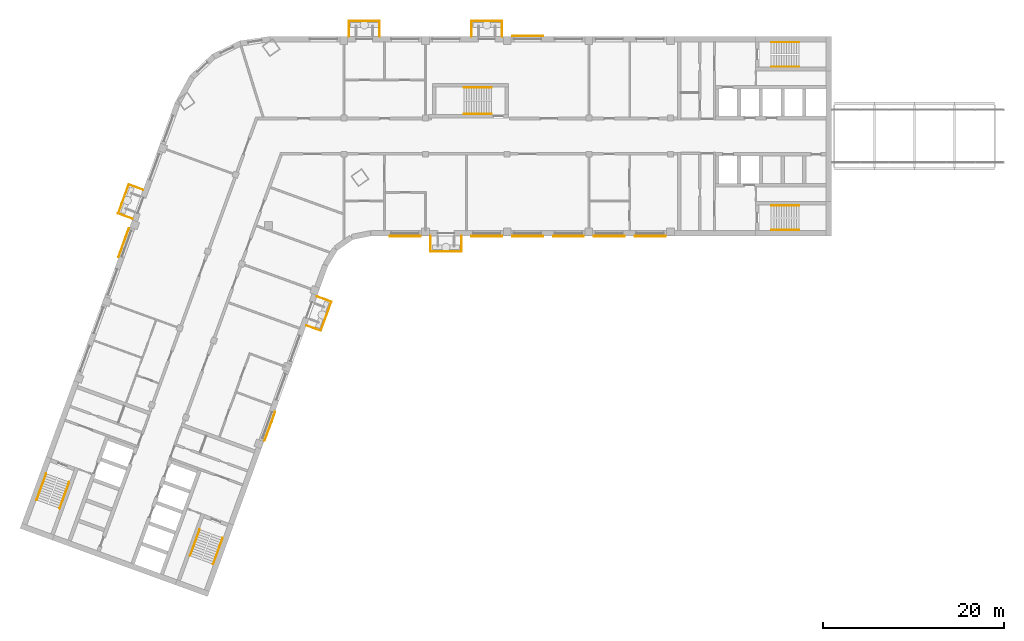
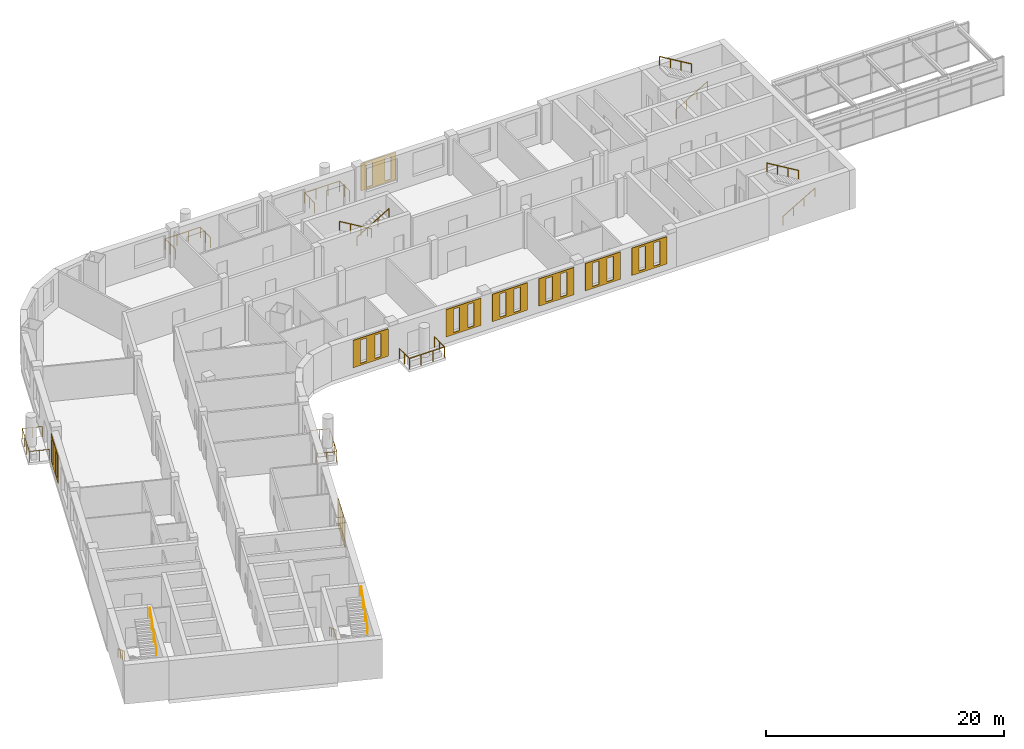
# One storey, part 10 of 12: 15 railings, 9 coverings.
"""IFC4 building model written with IfcOpenShell, lengths in metres."""

from ifc_helpers import new_model, si_unit, direction, frame, origin, origin_2d, place, context, subcontext, project, spatial, polyline, circle, outline, extrude, material, material_profile, profile_set, type_object, element, save


model = new_model("IFC4")

# Units and contexts
model_context = context("Model", 3, precision=1e-05, world=origin(), true_north=direction((0.0, 1.0)))
body_context = subcontext(model_context, "Body", "Model", "MODEL_VIEW")
ifc_project = project(units=[si_unit("LENGTHUNIT", "METRE"), si_unit("AREAUNIT", "SQUARE_METRE"), si_unit("VOLUMEUNIT", "CUBIC_METRE"), si_unit("PLANEANGLEUNIT", "RADIAN"), si_unit("MASSUNIT", "GRAM", prefix="KILO")], contexts=[model_context])

# Site, building, storey
site_placement = place(None, origin())
site = spatial("IfcSite", under=ifc_project, at=site_placement, CompositionType="ELEMENT")
building_placement = place(site_placement, origin())
building = spatial("IfcBuilding", under=site, at=building_placement, Name="Skarvind Civic Tower", CompositionType="ELEMENT")
storey_placement = place(building_placement, frame((0.0, 0.0, 117.0)))
storey = spatial("IfcBuildingStorey", under=building, at=storey_placement, Name="L27", CompositionType="ELEMENT", Elevation=117.0)

# Railings
ifc_material_1 = material(Name="Stainless steel balustrade", Category="steel")
railing_type_1 = type_object("IfcRailingType", Name="GR1 GUARD 1100", PredefinedType="GUARDRAIL", material=ifc_material_1)
railing_1_placement = place(storey_placement, frame((51.274658203125, 110.330322265625, 0.0)))
element("IfcRailing", 1, at=railing_1_placement, inside=storey, type_object=railing_type_1, Name="TREE BALCONY GUARD", PredefinedType="GUARDRAIL", context=body_context, shape_type="SweptSolid", body=[
    extrude(circle(Radius=0.02392578125, at=origin_2d()), frame((0.0, 0.0, 1.076171875), z_axis=(0.939684369409, -0.342042812948, 0.0), x_axis=(0.342042812948, 0.939684369409, 0.0)), (0.0, 0.0, 1.0), 1.7001953125),
    extrude(circle(Radius=0.02392578125, at=origin_2d()), frame((1.59765625, -0.58154296875, 1.076171875), z_axis=(-0.342088971896, -0.93966756638, 0.0), x_axis=(0.93966756638, -0.342088971896, 0.0)), (0.0, 0.0, 1.0), 3.39990234375),
    extrude(circle(Radius=0.02392578125, at=origin_2d()), frame((0.4345703125, -3.7763671875, 1.076171875), z_axis=(-0.93966756638, 0.342088971896, 0.0), x_axis=(-0.342088971896, -0.93966756638, 0.0)), (0.0, 0.0, 1.0), 1.699951171875),
    extrude(circle(Radius=0.02099609375, at=origin_2d()), origin(), (0.0, 0.0, 1.0), 1.052001953125),
    extrude(circle(Radius=0.02099609375, at=origin_2d()), frame((0.798828125, -0.290771484375, 0.0)), (0.0, 0.0, 1.0), 1.052001953125),
    extrude(circle(Radius=0.02099609375, at=origin_2d()), frame((1.59765625, -0.58154296875, 0.0)), (0.0, 0.0, 1.0), 1.052001953125),
    extrude(circle(Radius=0.02099609375, at=origin_2d()), frame((1.2099609375, -1.646484375, 0.0)), (0.0, 0.0, 1.0), 1.052001953125),
    extrude(circle(Radius=0.02099609375, at=origin_2d()), frame((0.822265625, -2.71142578125, 0.0)), (0.0, 0.0, 1.0), 1.052001953125),
    extrude(circle(Radius=0.02099609375, at=origin_2d()), frame((0.4345703125, -3.7763671875, 0.0)), (0.0, 0.0, 1.0), 1.052001953125),
    extrude(circle(Radius=0.02099609375, at=origin_2d()), frame((-0.3642578125, -3.485595703125, 0.0)), (0.0, 0.0, 1.0), 1.052001953125),
    extrude(circle(Radius=0.02099609375, at=origin_2d()), frame((-1.162841796875, -3.19482421875, 0.0)), (0.0, 0.0, 1.0), 1.052001953125),
])
railing_2_placement = place(storey_placement, frame((67.199951171875, 117.0, 0.0)))
element("IfcRailing", 2, at=railing_2_placement, inside=storey, type_object=railing_type_1, Name="TREE BALCONY GUARD", PredefinedType="GUARDRAIL", context=body_context, shape_type="SweptSolid", body=[
    extrude(circle(Radius=0.02392578125, at=origin_2d()), frame((0.0, 0.0, 1.076171875), z_axis=(0.0, -1.0, 0.0), x_axis=(1.0, 0.0, 0.0)), (0.0, 0.0, 1.0), 1.699951171875),
    extrude(circle(Radius=0.02392578125, at=origin_2d()), frame((0.0, -1.699951171875, 1.076171875), z_axis=(-1.0, 0.0, 0.0), x_axis=(0.0, -1.0, 0.0)), (0.0, 0.0, 1.0), 3.39990234375),
    extrude(circle(Radius=0.02392578125, at=origin_2d()), frame((-3.39990234375, -1.699951171875, 1.076171875), z_axis=(0.0, 1.0, 0.0), x_axis=(-1.0, 0.0, 0.0)), (0.0, 0.0, 1.0), 1.699951171875),
    extrude(circle(Radius=0.02099609375, at=origin_2d()), origin(), (0.0, 0.0, 1.0), 1.052001953125),
    extrude(circle(Radius=0.02099609375, at=origin_2d()), frame((0.0, -0.85009765625, 0.0)), (0.0, 0.0, 1.0), 1.052001953125),
    extrude(circle(Radius=0.02099609375, at=origin_2d()), frame((0.0, -1.699951171875, 0.0)), (0.0, 0.0, 1.0), 1.052001953125),
    extrude(circle(Radius=0.02099609375, at=origin_2d()), frame((-1.13330078125, -1.699951171875, 0.0)), (0.0, 0.0, 1.0), 1.052001953125),
    extrude(circle(Radius=0.02099609375, at=origin_2d()), frame((-2.2666015625, -1.699951171875, 0.0)), (0.0, 0.0, 1.0), 1.052001953125),
    extrude(circle(Radius=0.02099609375, at=origin_2d()), frame((-3.39990234375, -1.699951171875, 0.0)), (0.0, 0.0, 1.0), 1.052001953125),
    extrude(circle(Radius=0.02099609375, at=origin_2d()), frame((-3.39990234375, -0.85009765625, 0.0)), (0.0, 0.0, 1.0), 1.052001953125),
    extrude(circle(Radius=0.02099609375, at=origin_2d()), frame((-3.39990234375, 0.0, 0.0)), (0.0, 0.0, 1.0), 1.052001953125),
])
for number, where, name in (
    (3, (54.800048828125, 139.0, 0.0), "TREE BALCONY GUARD"),
    (4, (68.300048828125, 139.0, 0.0), "TREE BALCONY GUARD"),
):
    element("IfcRailing", number, at=place(storey_placement, frame(where)), inside=storey, type_object=railing_type_1, Name=name, PredefinedType="GUARDRAIL", context=body_context, shape_type="SweptSolid", body=[
        extrude(circle(Radius=0.02392578125, at=origin_2d()), frame((0.0, 0.0, 1.076171875), z_axis=(0.0, 1.0, 0.0), x_axis=(-1.0, 0.0, 0.0)), (0.0, 0.0, 1.0), 1.699951171875),
        extrude(circle(Radius=0.02392578125, at=origin_2d()), frame((0.0, 1.699951171875, 1.076171875), z_axis=(1.0, 0.0, 0.0), x_axis=(0.0, 1.0, 0.0)), (0.0, 0.0, 1.0), 3.39990234375),
        extrude(circle(Radius=0.02392578125, at=origin_2d()), frame((3.39990234375, 1.699951171875, 1.076171875), z_axis=(0.0, -1.0, 0.0), x_axis=(1.0, 0.0, 0.0)), (0.0, 0.0, 1.0), 1.699951171875),
        extrude(circle(Radius=0.02099609375, at=origin_2d()), origin(), (0.0, 0.0, 1.0), 1.052001953125),
        extrude(circle(Radius=0.02099609375, at=origin_2d()), frame((0.0, 0.85009765625, 0.0)), (0.0, 0.0, 1.0), 1.052001953125),
        extrude(circle(Radius=0.02099609375, at=origin_2d()), frame((0.0, 1.699951171875, 0.0)), (0.0, 0.0, 1.0), 1.052001953125),
        extrude(circle(Radius=0.02099609375, at=origin_2d()), frame((1.13330078125, 1.699951171875, 0.0)), (0.0, 0.0, 1.0), 1.052001953125),
        extrude(circle(Radius=0.02099609375, at=origin_2d()), frame((2.2666015625, 1.699951171875, 0.0)), (0.0, 0.0, 1.0), 1.052001953125),
        extrude(circle(Radius=0.02099609375, at=origin_2d()), frame((3.39990234375, 1.699951171875, 0.0)), (0.0, 0.0, 1.0), 1.052001953125),
        extrude(circle(Radius=0.02099609375, at=origin_2d()), frame((3.39990234375, 0.85009765625, 0.0)), (0.0, 0.0, 1.0), 1.052001953125),
        extrude(circle(Radius=0.02099609375, at=origin_2d()), frame((3.39990234375, 0.0, 0.0)), (0.0, 0.0, 1.0), 1.052001953125),
    ])
railing_3_placement = place(storey_placement, frame((30.977783203125, 118.888427734375, 0.0)))
element("IfcRailing", 5, at=railing_3_placement, inside=storey, type_object=railing_type_1, Name="TREE BALCONY GUARD", PredefinedType="GUARDRAIL", context=body_context, shape_type="SweptSolid", body=[
    extrude(circle(Radius=0.02392578125, at=origin_2d()), frame((0.0, 0.0, 1.076171875), z_axis=(-0.939684369409, 0.342042812948, 0.0), x_axis=(-0.342042812948, -0.939684369409, 0.0)), (0.0, 0.0, 1.0), 1.7001953125),
    extrude(circle(Radius=0.02392578125, at=origin_2d()), frame((-1.59765625, 0.58154296875, 1.076171875), z_axis=(0.342088971896, 0.93966756638, 0.0), x_axis=(-0.93966756638, 0.342088971896, 0.0)), (0.0, 0.0, 1.0), 3.39990234375),
    extrude(circle(Radius=0.02392578125, at=origin_2d()), frame((-0.4345703125, 3.7763671875, 1.076171875), z_axis=(0.939713724856, -0.341962154804, 0.0), x_axis=(0.341962154804, 0.939713724856, 0.0)), (0.0, 0.0, 1.0), 1.699951171875),
    extrude(circle(Radius=0.02099609375, at=origin_2d()), origin(), (0.0, 0.0, 1.0), 1.052001953125),
    extrude(circle(Radius=0.02099609375, at=origin_2d()), frame((-0.798828125, 0.290771484375, 0.0)), (0.0, 0.0, 1.0), 1.052001953125),
    extrude(circle(Radius=0.02099609375, at=origin_2d()), frame((-1.59765625, 0.58154296875, 0.0)), (0.0, 0.0, 1.0), 1.052001953125),
    extrude(circle(Radius=0.02099609375, at=origin_2d()), frame((-1.2099609375, 1.646484375, 0.0)), (0.0, 0.0, 1.0), 1.052001953125),
    extrude(circle(Radius=0.02099609375, at=origin_2d()), frame((-0.822265625, 2.71142578125, 0.0)), (0.0, 0.0, 1.0), 1.052001953125),
    extrude(circle(Radius=0.02099609375, at=origin_2d()), frame((-0.4345703125, 3.7763671875, 0.0)), (0.0, 0.0, 1.0), 1.052001953125),
    extrude(circle(Radius=0.02099609375, at=origin_2d()), frame((0.3642578125, 3.48583984375, 0.0)), (0.0, 0.0, 1.0), 1.052001953125),
    extrude(circle(Radius=0.02099609375, at=origin_2d()), frame((1.162841796875, 3.195068359375, 0.0)), (0.0, 0.0, 1.0), 1.052001953125),
])
ifc_material_2 = material(Name="Painted steel handrail", Category="steel")
railing_type_2 = type_object("IfcRailingType", Name="Stair handrail 900", PredefinedType="HANDRAIL", material=ifc_material_2)
railing_4_placement = place(storey_placement, frame((101.35009765625, 135.64990234375, 0.166748046875)))
element("IfcRailing", 6, at=railing_4_placement, inside=storey, type_object=railing_type_2, Name="Stair handrail", PredefinedType="HANDRAIL", context=body_context, shape_type="SweptSolid", body=[
    extrude(circle(Radius=0.02392578125, at=origin_2d()), frame((0.0, 0.0, 0.8759765625), z_axis=(0.859290745958, 0.0, 0.51148745235), x_axis=(0.0, 1.0, 0.0)), (0.0, 0.0, 1.0), 3.584228515625),
    extrude(circle(Radius=0.02099609375, at=origin_2d()), origin(), (0.0, 0.0, 1.0), 0.851806640625),
    extrude(circle(Radius=0.02099609375, at=origin_2d()), frame((1.026611328125, 0.0, 0.611083984375)), (0.0, 0.0, 1.0), 0.851806640625),
    extrude(circle(Radius=0.02099609375, at=origin_2d()), frame((2.05322265625, 0.0, 1.22216796875)), (0.0, 0.0, 1.0), 0.851806640625),
    extrude(circle(Radius=0.02099609375, at=origin_2d()), frame((3.079833984375, 0.0, 1.833251953125)), (0.0, 0.0, 1.0), 0.851806640625),
])
railing_5_placement = place(storey_placement, frame((104.429931640625, 138.35009765625, 2.166748046875)))
element("IfcRailing", 7, at=railing_5_placement, inside=storey, type_object=railing_type_2, Name="Stair handrail", PredefinedType="HANDRAIL", context=body_context, shape_type="SweptSolid", body=[
    extrude(circle(Radius=0.02392578125, at=origin_2d()), frame((0.0, 0.0, 0.8759765625), z_axis=(-0.859290745958, 0.0, 0.51148745235), x_axis=(0.0, -1.0, 0.0)), (0.0, 0.0, 1.0), 3.584228515625),
    extrude(circle(Radius=0.02099609375, at=origin_2d()), origin(), (0.0, 0.0, 1.0), 0.851806640625),
    extrude(circle(Radius=0.02099609375, at=origin_2d()), frame((-1.026611328125, 0.0, 0.611083984375)), (0.0, 0.0, 1.0), 0.851806640625),
    extrude(circle(Radius=0.02099609375, at=origin_2d()), frame((-2.05322265625, 0.0, 1.22216796875)), (0.0, 0.0, 1.0), 0.851806640625),
    extrude(circle(Radius=0.02099609375, at=origin_2d()), frame((-3.079833984375, 0.0, 1.833251953125)), (0.0, 0.0, 1.0), 0.851806640625),
])
railing_6_placement = place(storey_placement, frame((101.35009765625, 117.64990234375, 0.166748046875)))
element("IfcRailing", 8, at=railing_6_placement, inside=storey, type_object=railing_type_2, Name="Stair handrail", PredefinedType="HANDRAIL", context=body_context, shape_type="SweptSolid", body=[
    extrude(circle(Radius=0.02392578125, at=origin_2d()), frame((0.0, 0.0, 0.8759765625), z_axis=(0.859290745958, 0.0, 0.51148745235), x_axis=(0.0, 1.0, 0.0)), (0.0, 0.0, 1.0), 3.584228515625),
    extrude(circle(Radius=0.02099609375, at=origin_2d()), origin(), (0.0, 0.0, 1.0), 0.851806640625),
    extrude(circle(Radius=0.02099609375, at=origin_2d()), frame((1.026611328125, 0.0, 0.611083984375)), (0.0, 0.0, 1.0), 0.851806640625),
    extrude(circle(Radius=0.02099609375, at=origin_2d()), frame((2.05322265625, 0.0, 1.22216796875)), (0.0, 0.0, 1.0), 0.851806640625),
    extrude(circle(Radius=0.02099609375, at=origin_2d()), frame((3.079833984375, 0.0, 1.833251953125)), (0.0, 0.0, 1.0), 0.851806640625),
])
railing_7_placement = place(storey_placement, frame((104.429931640625, 120.35009765625, 2.166748046875)))
element("IfcRailing", 9, at=railing_7_placement, inside=storey, type_object=railing_type_2, Name="Stair handrail", PredefinedType="HANDRAIL", context=body_context, shape_type="SweptSolid", body=[
    extrude(circle(Radius=0.02392578125, at=origin_2d()), frame((0.0, 0.0, 0.8759765625), z_axis=(-0.859290745958, 0.0, 0.51148745235), x_axis=(0.0, -1.0, 0.0)), (0.0, 0.0, 1.0), 3.584228515625),
    extrude(circle(Radius=0.02099609375, at=origin_2d()), origin(), (0.0, 0.0, 1.0), 0.851806640625),
    extrude(circle(Radius=0.02099609375, at=origin_2d()), frame((-1.026611328125, 0.0, 0.611083984375)), (0.0, 0.0, 1.0), 0.851806640625),
    extrude(circle(Radius=0.02099609375, at=origin_2d()), frame((-2.05322265625, 0.0, 1.22216796875)), (0.0, 0.0, 1.0), 0.851806640625),
    extrude(circle(Radius=0.02099609375, at=origin_2d()), frame((-3.079833984375, 0.0, 1.833251953125)), (0.0, 0.0, 1.0), 0.851806640625),
])
railing_8_placement = place(storey_placement, frame((38.362060546875, 84.64794921875, 0.166748046875)))
element("IfcRailing", 10, at=railing_8_placement, inside=storey, type_object=railing_type_2, Name="Stair handrail", PredefinedType="HANDRAIL", context=body_context, shape_type="SweptSolid", body=[
    extrude(circle(Radius=0.02392578125, at=origin_2d()), frame((0.0, 0.0, 0.8759765625), z_axis=(-0.293908055923, -0.807480881337, 0.511461319103), x_axis=(0.939689235759, -0.342029443467, 0.0)), (0.0, 0.0, 1.0), 3.584228515625),
    extrude(circle(Radius=0.02099609375, at=origin_2d()), origin(), (0.0, 0.0, 1.0), 0.851806640625),
    extrude(circle(Radius=0.02099609375, at=origin_2d()), frame((-0.35107421875, -0.96484375, 0.611083984375)), (0.0, 0.0, 1.0), 0.851806640625),
    extrude(circle(Radius=0.02099609375, at=origin_2d()), frame((-0.702392578125, -1.929443359375, 1.22216796875)), (0.0, 0.0, 1.0), 0.851806640625),
    extrude(circle(Radius=0.02099609375, at=origin_2d()), frame((-1.053466796875, -2.894287109375, 1.833251953125)), (0.0, 0.0, 1.0), 0.851806640625),
])
railing_9_placement = place(storey_placement, frame((39.845703125, 80.830078125, 2.166748046875)))
element("IfcRailing", 11, at=railing_9_placement, inside=storey, type_object=railing_type_2, Name="Stair handrail", PredefinedType="HANDRAIL", context=body_context, shape_type="SweptSolid", body=[
    extrude(circle(Radius=0.02392578125, at=origin_2d()), frame((0.0, 0.0, 0.8759765625), z_axis=(0.293908055923, 0.807480881337, 0.511461319103), x_axis=(-0.939689235759, 0.342029443467, 0.0)), (0.0, 0.0, 1.0), 3.584228515625),
    extrude(circle(Radius=0.02099609375, at=origin_2d()), origin(), (0.0, 0.0, 1.0), 0.851806640625),
    extrude(circle(Radius=0.02099609375, at=origin_2d()), frame((0.35107421875, 0.96484375, 0.611083984375)), (0.0, 0.0, 1.0), 0.851806640625),
    extrude(circle(Radius=0.02099609375, at=origin_2d()), frame((0.702392578125, 1.929443359375, 1.22216796875)), (0.0, 0.0, 1.0), 0.851806640625),
    extrude(circle(Radius=0.02099609375, at=origin_2d()), frame((1.053466796875, 2.894287109375, 1.833251953125)), (0.0, 0.0, 1.0), 0.851806640625),
])
railing_10_placement = place(storey_placement, frame((21.447509765625, 90.80419921875, 0.166748046875)))
element("IfcRailing", 12, at=railing_10_placement, inside=storey, type_object=railing_type_2, Name="Stair handrail", PredefinedType="HANDRAIL", context=body_context, shape_type="SweptSolid", body=[
    extrude(circle(Radius=0.02392578125, at=origin_2d()), frame((0.0, 0.0, 0.8759765625), z_axis=(-0.293845824691, -0.807497044902, 0.511471557163), x_axis=(0.939714709796, -0.34195944817, 0.0)), (0.0, 0.0, 1.0), 3.584228515625),
    extrude(circle(Radius=0.02099609375, at=origin_2d()), origin(), (0.0, 0.0, 1.0), 0.851806640625),
    extrude(circle(Radius=0.02099609375, at=origin_2d()), frame((-0.35107421875, -0.96484375, 0.611083984375)), (0.0, 0.0, 1.0), 0.851806640625),
    extrude(circle(Radius=0.02099609375, at=origin_2d()), frame((-0.7021484375, -1.929443359375, 1.22216796875)), (0.0, 0.0, 1.0), 0.851806640625),
    extrude(circle(Radius=0.02099609375, at=origin_2d()), frame((-1.05322265625, -2.894287109375, 1.833251953125)), (0.0, 0.0, 1.0), 0.851806640625),
])
railing_11_placement = place(storey_placement, frame((22.931396484375, 86.986572265625, 2.166748046875)))
element("IfcRailing", 13, at=railing_11_placement, inside=storey, type_object=railing_type_2, Name="Stair handrail", PredefinedType="HANDRAIL", context=body_context, shape_type="SweptSolid", body=[
    extrude(circle(Radius=0.02392578125, at=origin_2d()), frame((0.0, 0.0, 0.8759765625), z_axis=(0.293908055923, 0.807480881337, 0.511461319103), x_axis=(-0.939689235759, 0.342029443467, 0.0)), (0.0, 0.0, 1.0), 3.584228515625),
    extrude(circle(Radius=0.02099609375, at=origin_2d()), origin(), (0.0, 0.0, 1.0), 0.851806640625),
    extrude(circle(Radius=0.02099609375, at=origin_2d()), frame((0.35107421875, 0.96484375, 0.611083984375)), (0.0, 0.0, 1.0), 0.851806640625),
    extrude(circle(Radius=0.02099609375, at=origin_2d()), frame((0.702392578125, 1.929443359375, 1.22216796875)), (0.0, 0.0, 1.0), 0.851806640625),
    extrude(circle(Radius=0.02099609375, at=origin_2d()), frame((1.053466796875, 2.894287109375, 1.833251953125)), (0.0, 0.0, 1.0), 0.851806640625),
])
railing_12_placement = place(storey_placement, frame((70.550048828125, 133.35009765625, 0.166748046875)))
element("IfcRailing", 14, at=railing_12_placement, inside=storey, type_object=railing_type_2, Name="Stair handrail", PredefinedType="HANDRAIL", context=body_context, shape_type="SweptSolid", body=[
    extrude(circle(Radius=0.02392578125, at=origin_2d()), frame((0.0, 0.0, 0.8759765625), z_axis=(-0.859308565015, 0.0, 0.511457515432), x_axis=(0.0, -1.0, 0.0)), (0.0, 0.0, 1.0), 3.58447265625),
    extrude(circle(Radius=0.02099609375, at=origin_2d()), origin(), (0.0, 0.0, 1.0), 0.851806640625),
    extrude(circle(Radius=0.02099609375, at=origin_2d()), frame((-1.026611328125, 0.0, 0.611083984375)), (0.0, 0.0, 1.0), 0.851806640625),
    extrude(circle(Radius=0.02099609375, at=origin_2d()), frame((-2.053466796875, 0.0, 1.22216796875)), (0.0, 0.0, 1.0), 0.851806640625),
    extrude(circle(Radius=0.02099609375, at=origin_2d()), frame((-3.080078125, 0.0, 1.833251953125)), (0.0, 0.0, 1.0), 0.851806640625),
])
railing_13_placement = place(storey_placement, frame((67.469970703125, 130.449951171875, 2.166748046875)))
element("IfcRailing", 15, at=railing_13_placement, inside=storey, type_object=railing_type_2, Name="Stair handrail", PredefinedType="HANDRAIL", context=body_context, shape_type="SweptSolid", body=[
    extrude(circle(Radius=0.02392578125, at=origin_2d()), frame((0.0, 0.0, 0.8759765625), z_axis=(0.859308565015, 0.0, 0.511457515432), x_axis=(0.0, 1.0, 0.0)), (0.0, 0.0, 1.0), 3.58447265625),
    extrude(circle(Radius=0.02099609375, at=origin_2d()), origin(), (0.0, 0.0, 1.0), 0.851806640625),
    extrude(circle(Radius=0.02099609375, at=origin_2d()), frame((1.026611328125, 0.0, 0.611083984375)), (0.0, 0.0, 1.0), 0.851806640625),
    extrude(circle(Radius=0.02099609375, at=origin_2d()), frame((2.053466796875, 0.0, 1.22216796875)), (0.0, 0.0, 1.0), 0.851806640625),
    extrude(circle(Radius=0.02099609375, at=origin_2d()), frame((3.080078125, 0.0, 1.833251953125)), (0.0, 0.0, 1.0), 0.851806640625),
])

# Coverings
ifc_material_3 = material(Name="Terracotta", Category="masonry")
ifc_material_profile_1 = material_profile(ifc_material_3, outline(polyline([(-1.699951171875, -1.39990234375), (1.699951171875, -1.39990234375), (1.699951171875, 1.39990234375), (-1.699951171875, 1.39990234375), (-1.699951171875, -1.39990234375)]), holes=[polyline([(-1.0, -1.18994140625), (-0.39990234375, -1.18994140625), (-0.39990234375, 1.18994140625), (-1.0, 1.18994140625), (-1.0, -1.18994140625)]), polyline([(0.39990234375, -1.18994140625), (1.0, -1.18994140625), (1.0, 1.18994140625), (0.39990234375, 1.18994140625), (0.39990234375, -1.18994140625)])]), Name="TERRACOTTA SCREEN 3400 x 2800, SLIT PITCH 1400")
ifc_profile_set_1 = profile_set([ifc_material_profile_1], Name="Terracotta")
covering_type_1 = type_object("IfcCoveringType", Name="TERRACOTTA SCREEN 3400 x 2800, SLIT PITCH 1400", PredefinedType="CLADDING", material=ifc_profile_set_1)
for number, where, z_axis, x_axis, name in (
    (16, (88.0, 117.0, 2.10009765625), (0.0, -1.0, 0.0), (1.0, 0.0, 0.0), "TERRACOTTA SCREEN"),
    (17, (83.5, 117.0, 2.10009765625), (0.0, -1.0, 0.0), (1.0, 0.0, 0.0), "TERRACOTTA SCREEN"),
    (18, (79.0, 117.0, 2.10009765625), (0.0, -1.0, 0.0), (1.0, 0.0, 0.0), "TERRACOTTA SCREEN"),
    (19, (74.5, 117.0, 2.10009765625), (0.0, -1.0, 0.0), (1.0, 0.0, 0.0), "TERRACOTTA SCREEN"),
    (20, (70.0, 117.0, 2.10009765625), (0.0, -1.0, 0.0), (1.0, 0.0, 0.0), "TERRACOTTA SCREEN"),
    (21, (61.0, 117.0, 2.10009765625), (0.0, -1.0, 0.0), (1.0, 0.0, 0.0), "TERRACOTTA SCREEN"),
):
    element("IfcCovering", number, at=place(storey_placement, frame(where, z_axis=z_axis, x_axis=x_axis)), inside=storey, type_object=covering_type_1, Name=name, PredefinedType="CLADDING", context=body_context, shape_type="SweptSolid", body=[
        extrude(outline(polyline([(-1.699951171875, -1.39990234375), (1.699951171875, -1.39990234375), (1.699951171875, 1.39990234375), (-1.699951171875, 1.39990234375), (-1.699951171875, -1.39990234375)]), holes=[polyline([(-1.0, -1.18994140625), (-0.39990234375, -1.18994140625), (-0.39990234375, 1.18994140625), (-1.0, 1.18994140625), (-1.0, -1.18994140625)]), polyline([(0.39990234375, -1.18994140625), (1.0, -1.18994140625), (1.0, 1.18994140625), (0.39990234375, 1.18994140625), (0.39990234375, -1.18994140625)])]), origin(), (0.0, 0.0, 1.0), 0.06005859375),
    ])
ifc_material_profile_2 = material_profile(ifc_material_3, outline(polyline([(-1.699951171875, -1.39990234375), (1.699951171875, -1.39990234375), (1.699951171875, 1.39990234375), (-1.699951171875, 1.39990234375), (-1.699951171875, -1.39990234375)]), holes=[polyline([(-1.199951171875, -1.18994140625), (-0.60009765625, -1.18994140625), (-0.60009765625, 1.18994140625), (-1.199951171875, 1.18994140625), (-1.199951171875, -1.18994140625)]), polyline([(0.60009765625, -1.18994140625), (1.199951171875, -1.18994140625), (1.199951171875, 1.18994140625), (0.60009765625, 1.18994140625), (0.60009765625, -1.18994140625)])]), Name="TERRACOTTA SCREEN 3400 x 2800, SLIT PITCH 1800")
ifc_profile_set_2 = profile_set([ifc_material_profile_2], Name="Terracotta")
covering_type_2 = type_object("IfcCoveringType", Name="TERRACOTTA SCREEN 3400 x 2800, SLIT PITCH 1800", PredefinedType="CLADDING", material=ifc_profile_set_2)
for number, where, z_axis, x_axis, name in (
    (22, (46.075927734375, 96.047119140625, 2.10009765625), (0.939793423488, -0.341743063087, 0.0), (0.341743063087, 0.939793423488, 0.0), "TERRACOTTA SCREEN"),
    (23, (74.5, 139.0, 2.10009765625), (0.0, 1.0, 0.0), (-1.0, 0.0, 0.0), "TERRACOTTA SCREEN"),
    (24, (30.02001953125, 116.25732421875, 2.10009765625), (-0.939793423488, 0.341743063087, 0.0), (-0.341743063087, -0.939793423488, 0.0), "TERRACOTTA SCREEN"),
):
    element("IfcCovering", number, at=place(storey_placement, frame(where, z_axis=z_axis, x_axis=x_axis)), inside=storey, type_object=covering_type_2, Name=name, PredefinedType="CLADDING", context=body_context, shape_type="SweptSolid", body=[
        extrude(outline(polyline([(-1.699951171875, -1.39990234375), (1.699951171875, -1.39990234375), (1.699951171875, 1.39990234375), (-1.699951171875, 1.39990234375), (-1.699951171875, -1.39990234375)]), holes=[polyline([(-1.199951171875, -1.18994140625), (-0.60009765625, -1.18994140625), (-0.60009765625, 1.18994140625), (-1.199951171875, 1.18994140625), (-1.199951171875, -1.18994140625)]), polyline([(0.60009765625, -1.18994140625), (1.199951171875, -1.18994140625), (1.199951171875, 1.18994140625), (0.60009765625, 1.18994140625), (0.60009765625, -1.18994140625)])]), origin(), (0.0, 0.0, 1.0), 0.06005859375),
    ])

save(model, "model.ifc")
